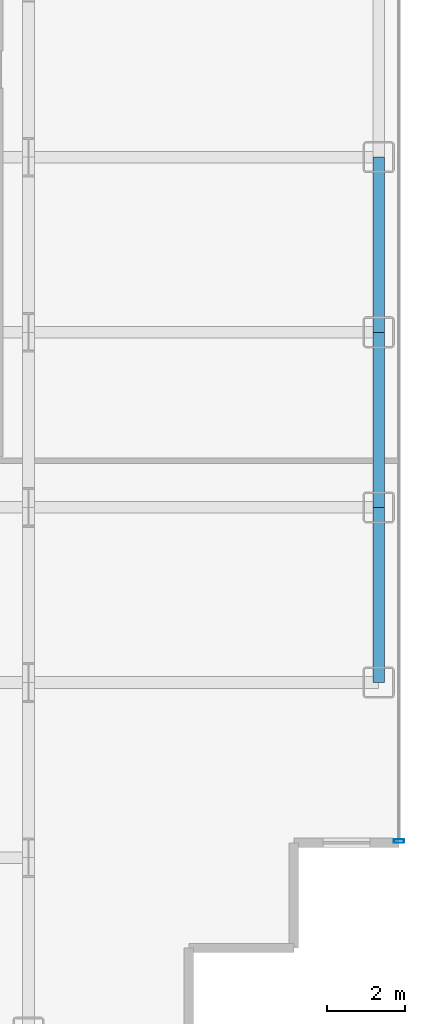
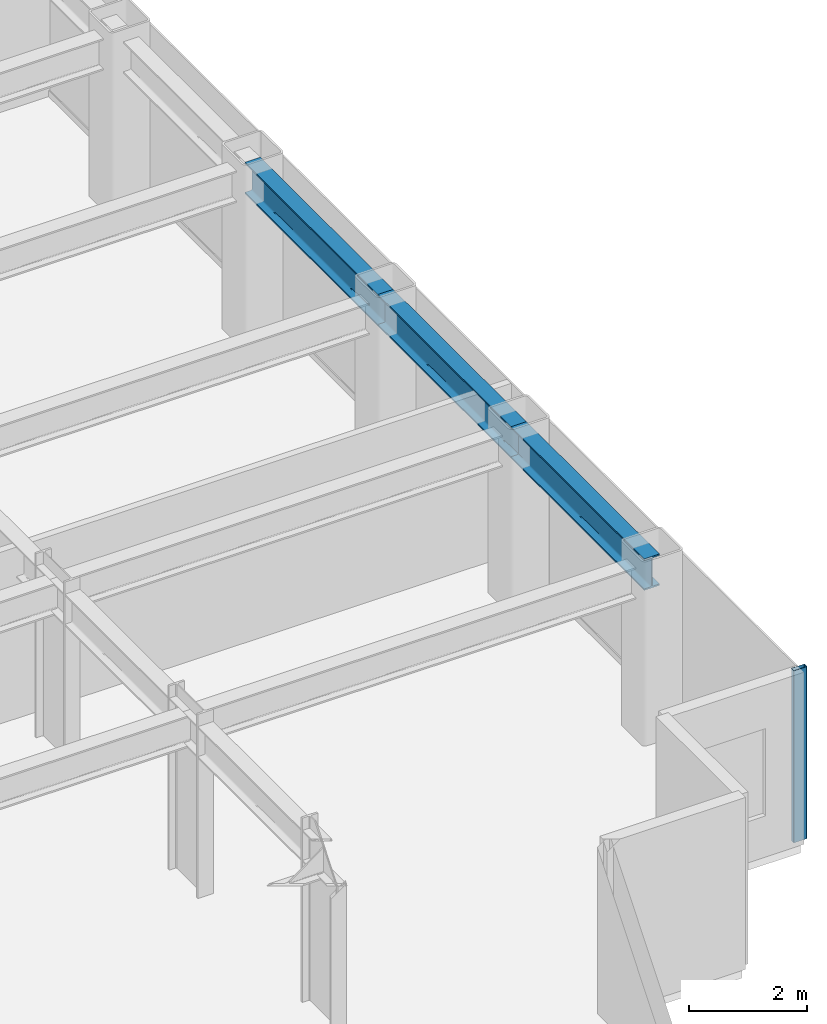
# One storey, part 16 of 26: 3 beams, 1 member, 1 element without a shape of its own.
"""IFC4 building model written with IfcOpenShell, lengths in metres."""

from ifc_helpers import new_model, si_unit, direction, frame, origin, origin_2d, place, context, subcontext, project, spatial, hollow_rectangle, i_section, extrude, source, transform, mapped, material, layer, layer_set, material_profile, profile_set, type_object, element, aggregate, save


model = new_model("IFC4")

# Units and contexts
model_context = context("Model", 3, precision=1e-05, world=origin(), true_north=direction((0.0, 1.0)))
body_context = subcontext(model_context, "Body", "Model", "MODEL_VIEW")
ifc_project = project(units=[si_unit("LENGTHUNIT", "METRE"), si_unit("AREAUNIT", "SQUARE_METRE"), si_unit("VOLUMEUNIT", "CUBIC_METRE"), si_unit("PLANEANGLEUNIT", "RADIAN"), si_unit("MASSUNIT", "GRAM", prefix="KILO")], contexts=[model_context])

# Site, building, storey
site_placement = place(None, origin())
site = spatial("IfcSite", under=ifc_project, at=site_placement, CompositionType="ELEMENT")
building_placement = place(site_placement, origin())
building = spatial("IfcBuilding", under=site, at=building_placement, Name="Nefas-Gora Pilgrimage Tower", CompositionType="ELEMENT")
storey_placement = place(building_placement, frame((0.0, 0.0, 121.199951171875)))
storey = spatial("IfcBuildingStorey", under=building, at=storey_placement, Name="L29", CompositionType="ELEMENT", Elevation=121.199951171875)

# Beams
ifc_material_1 = material(Name="Steel S355", Category="steel")
ifc_material_profile_1 = material_profile(ifc_material_1, i_section(OverallWidth=0.300048828125, OverallDepth=0.64990234375, WebThickness=0.01611328125, FlangeThickness=0.031005859375, FilletRadius=0.027099609375, at=origin_2d()), Name="HEB 650")
ifc_profile_set_1 = profile_set([ifc_material_profile_1], Name="Steel S355")
beam_type = type_object("IfcBeamType", Name="BM-SPN-HEB500", PredefinedType="SPANDREL", material=ifc_profile_set_1)
shared_shape_1 = source(origin(), body_context, "Body", "SweptSolid", [
    extrude(i_section(OverallWidth=0.300048828125, OverallDepth=0.64990234375, WebThickness=0.01611328125, FlangeThickness=0.031005859375, FilletRadius=0.027099609375, at=origin_2d()), origin(), (0.0, 0.0, 1.0), 4.5),
])
for number, where, z_axis, x_axis, name in (
    (1, (33.75, -13.5, 3.22509765625), (0.0, 1.0, 0.0), (-1.0, 0.0, 0.0), "L29 SP-02 beam"),
    (2, (33.75, -9.0, 3.22509765625), (0.0, 1.0, 0.0), (-1.0, 0.0, 0.0), "L29 SP-02 beam"),
    (3, (33.75, -4.5, 3.22509765625), (0.0, 1.0, 0.0), (-1.0, 0.0, 0.0), "L29 SP-02 beam"),
):
    element("IfcBeam", number, at=place(storey_placement, frame(where, z_axis=z_axis, x_axis=x_axis)), inside=storey, type_object=beam_type, Name=name, PredefinedType="SPANDREL", context=body_context, shape_type="MappedRepresentation", body=[
        mapped(shared_shape_1, transform((0.0, 0.0, 0.0), x_axis=(1.0, 0.0, 0.0), y_axis=(0.0, 1.0, 0.0), z_axis=(0.0, 0.0, 1.0), scale=1.0)),
    ])

# Curtain wall, member
ifc_material_2 = material(Name="Dark ceramic-fritted solar-control aluminium-glass curtain wall", Category="aluminium")
ifc_layer = layer(ifc_material_2, 0.219970703125)
ifc_layer_set = layer_set([ifc_layer], Name="Dark ceramic-fritted solar-control aluminium-glass curtain wall")
curtain_wall_type = type_object("IfcCurtainWallType", Name="CW-SYS-2", PredefinedType="NOTDEFINED", material=ifc_layer_set)
curtain_wall_placement = place(storey_placement, origin())
curtain_wall = element("IfcCurtainWall", 4, at=curtain_wall_placement, inside=storey, type_object=curtain_wall_type, Name="L29 Unitised Curtain Wall CW2", PredefinedType="NOTDEFINED")
ifc_material_3 = material(Name="Anodised architectural aluminium", Category="aluminium")
ifc_material_profile_2 = material_profile(ifc_material_3, hollow_rectangle(XDim=0.090087890625, YDim=0.260009765625, WallThickness=0.006103515625, InnerFilletRadius=0.006103515625, OuterFilletRadius=0.011962890625, at=origin_2d()), Name="ALU MULLION 90x260")
ifc_profile_set_2 = profile_set([ifc_material_profile_2], Name="Anodised architectural aluminium")
member_type = type_object("IfcMemberType", Name="CWM-MUL-2", PredefinedType="MULLION", material=ifc_profile_set_2)
shared_shape_2 = source(origin(), body_context, "Body", "SweptSolid", [
    extrude(hollow_rectangle(XDim=0.090087890625, YDim=0.260009765625, WallThickness=0.006103515625, InnerFilletRadius=0.006103515625, OuterFilletRadius=0.011962890625, at=origin_2d()), origin(), (0.0, 0.0, 1.0), 3.550048828125),
])
member_placement = place(storey_placement, frame((34.27001953125, -17.574951171875, 0.0), z_axis=(0.0, 0.0, 1.0), x_axis=(0.0, 1.0, 0.0)))
member = element("IfcMember", 5, at=member_placement, type_object=member_type, Name="CW2 Mullion 1", PredefinedType="MULLION", context=body_context, shape_type="MappedRepresentation", body=[
    mapped(shared_shape_2, transform((0.0, 0.0, 0.0), x_axis=(1.0, 0.0, 0.0), y_axis=(0.0, 1.0, 0.0), z_axis=(0.0, 0.0, 1.0), scale=1.0)),
])
aggregate(curtain_wall, [member])

save(model, "model.ifc")
